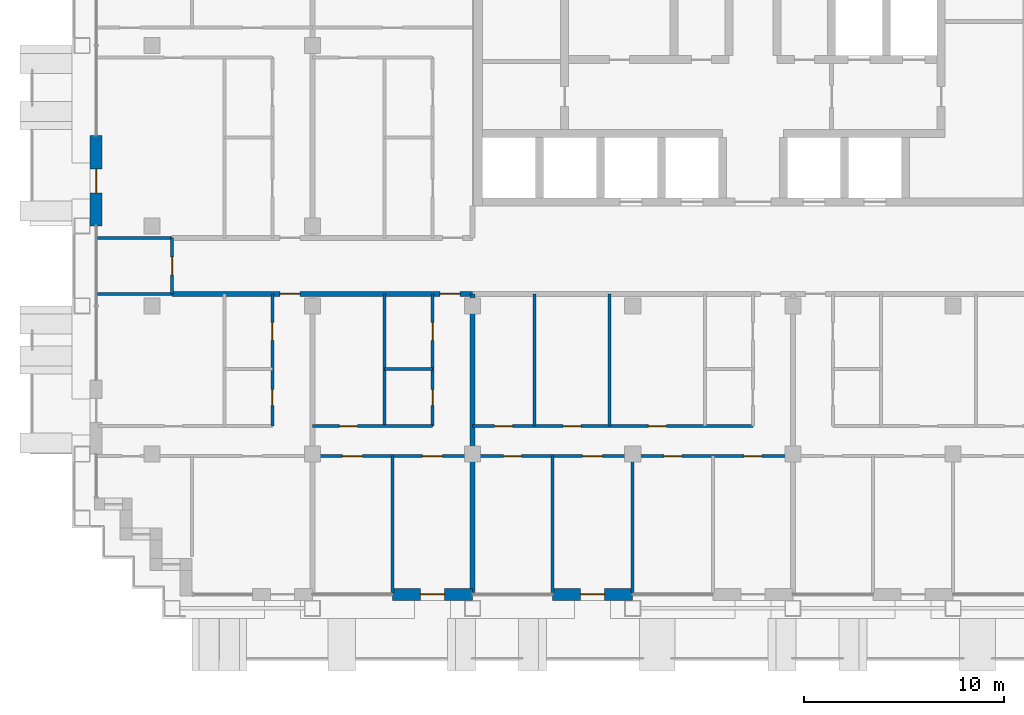
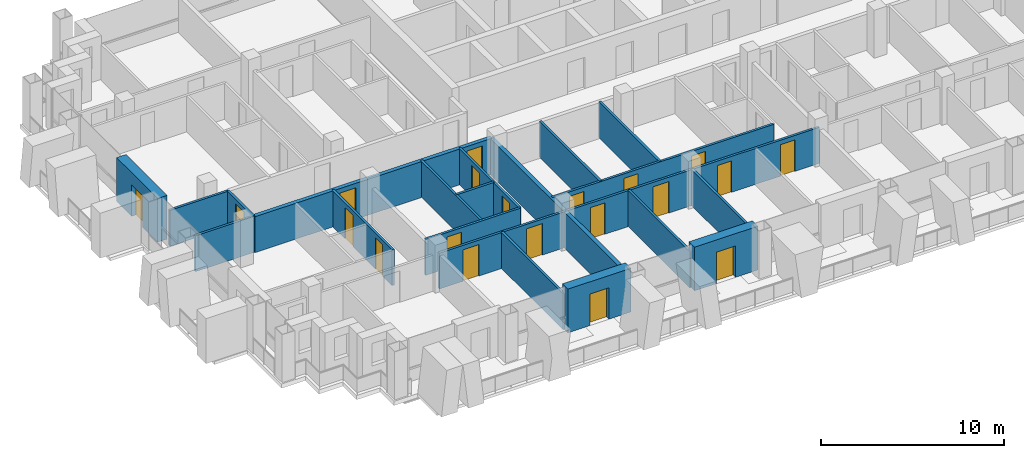
# One storey, part 8 of 17: 21 walls, 20 doors, 20 openings.
"""IFC4 building model written with IfcOpenShell, lengths in metres."""

from ifc_helpers import new_model, si_unit, direction, frame, frame_2d, origin, place, context, subcontext, project, spatial, rectangle, extrude, material, layer, layer_set, type_object, element, fill, save


model = new_model("IFC4")

# Units and contexts
model_context = context("Model", 3, precision=1e-05, world=origin(), true_north=direction((0.0, 1.0)))
body_context = subcontext(model_context, "Body", "Model", "MODEL_VIEW")
ifc_project = project(units=[si_unit("LENGTHUNIT", "METRE"), si_unit("AREAUNIT", "SQUARE_METRE"), si_unit("VOLUMEUNIT", "CUBIC_METRE"), si_unit("PLANEANGLEUNIT", "RADIAN"), si_unit("MASSUNIT", "GRAM", prefix="KILO")], contexts=[model_context])

# Site, building, storey
site_placement = place(None, origin())
site = spatial("IfcSite", under=ifc_project, at=site_placement, CompositionType="ELEMENT")
building_placement = place(site_placement, origin())
building = spatial("IfcBuilding", under=site, at=building_placement, Name="Vidyagriha Tower", CompositionType="ELEMENT")
storey_placement = place(building_placement, frame((0.0, 0.0, 119.800048828125)))
storey = spatial("IfcBuildingStorey", under=building, at=storey_placement, Name="L30", CompositionType="ELEMENT", Elevation=119.800048828125)

# Wall, opening, door
ifc_material_1 = material(Name="Precast concrete C40/50 with brick facing", Category="concrete")
ifc_layer_1 = layer(ifc_material_1, 0.60009765625)
ifc_layer_set_1 = layer_set([ifc_layer_1], Name="Precast concrete C40/50 with brick facing")
wall_type_1 = type_object("IfcWallType", Name="Brick-faced precast wall 600", PredefinedType="STANDARD", material=ifc_layer_set_1)
wall_1_placement = place(storey_placement, frame((-32.800048828125, 6.5, 0.0), z_axis=(0.0, 0.0, 1.0), x_axis=(0.0, -1.0, 0.0)))
wall_1 = element("IfcWall", 1, at=wall_1_placement, inside=storey, type_object=wall_type_1, Name="Brick door bay wall L30 R16.3", PredefinedType="STANDARD", context=body_context, shape_type="SweptSolid", body=[
    extrude(rectangle(XDim=4.5, YDim=0.60009765625, at=frame_2d((2.25, 0.0))), origin(), (0.0, 0.0, 1.0), 2.919921875),
])
opening_1_placement = place(wall_1_placement, frame((1.64990234375, 0.0, 0.0)))
opening_1 = element("IfcOpeningElement", 2, at=opening_1_placement, cuts=wall_1, Name="Opening D30-74", PredefinedType="OPENING", context=body_context, shape_type="SweptSolid", body=[
    extrude(rectangle(XDim=1.199951171875, YDim=2.10009765625, at=frame_2d((0.60009765625, 1.050048828125))), frame((0.0, 0.31005859375, 0.0), z_axis=(0.0, -1.0, 0.0), x_axis=(1.0, 0.0, 0.0)), (0.0, 0.0, 1.0), 0.6201171875),
])
ifc_material_2 = material(Name="Aluminium framed glazed sliding door", Category="aluminium")
door_type_1 = type_object("IfcDoorType", Name="Balcony sliding door 1200x2100", OperationType="NOTDEFINED", PredefinedType="DOOR", material=ifc_material_2)
door_1_placement = place(opening_1_placement, origin())
door_1 = element("IfcDoor", 3, at=door_1_placement, inside=storey, type_object=door_type_1, Name="Door D30-74", OperationType="SLIDING_TO_LEFT", OverallHeight=2.10009765625, OverallWidth=1.199951171875, PredefinedType="DOOR", context=body_context, shape_type="SweptSolid", body=[
    extrude(rectangle(XDim=1.199951171875, YDim=2.10009765625, at=frame_2d((0.60009765625, 1.050048828125))), frame((0.0, 0.02490234375, 0.0), z_axis=(0.0, -1.0, 0.0), x_axis=(1.0, 0.0, 0.0)), (0.0, 0.0, 1.0), 0.050048828125),
])
fill(opening_1, door_1)

wall_2_placement = place(storey_placement, frame((-18.0, -16.39990234375, 0.0)))
wall_2 = element("IfcWall", 4, at=wall_2_placement, inside=storey, type_object=wall_type_1, Name="Brick door bay wall L30 R23.4", PredefinedType="STANDARD", context=body_context, shape_type="SweptSolid", body=[
    extrude(rectangle(XDim=4.0, YDim=0.60009765625, at=frame_2d((2.0, 0.0))), origin(), (0.0, 0.0, 1.0), 2.919921875),
])
opening_2_placement = place(wall_2_placement, frame((1.39990234375, 0.0, 0.0)))
opening_2 = element("IfcOpeningElement", 5, at=opening_2_placement, cuts=wall_2, Name="Opening D30-77", PredefinedType="OPENING", context=body_context, shape_type="SweptSolid", body=[
    extrude(rectangle(XDim=1.199951171875, YDim=2.10009765625, at=frame_2d((0.60009765625, 1.050048828125))), frame((0.0, 0.31005859375, 0.0), z_axis=(0.0, -1.0, 0.0), x_axis=(1.0, 0.0, 0.0)), (0.0, 0.0, 1.0), 0.6201171875),
])
door_2_placement = place(opening_2_placement, origin())
door_2 = element("IfcDoor", 6, at=door_2_placement, inside=storey, type_object=door_type_1, Name="Door D30-77", OperationType="SLIDING_TO_LEFT", OverallHeight=2.10009765625, OverallWidth=1.199951171875, PredefinedType="DOOR", context=body_context, shape_type="SweptSolid", body=[
    extrude(rectangle(XDim=1.199951171875, YDim=2.10009765625, at=frame_2d((0.60009765625, 1.050048828125))), frame((0.0, 0.02490234375, 0.0), z_axis=(0.0, -1.0, 0.0), x_axis=(1.0, 0.0, 0.0)), (0.0, 0.0, 1.0), 0.050048828125),
])
fill(opening_2, door_2)

wall_3_placement = place(storey_placement, frame((-10.0, -16.39990234375, 0.0)))
wall_3 = element("IfcWall", 7, at=wall_3_placement, inside=storey, type_object=wall_type_1, Name="Brick door bay wall L30 R23.6", PredefinedType="STANDARD", context=body_context, shape_type="SweptSolid", body=[
    extrude(rectangle(XDim=4.0, YDim=0.60009765625, at=frame_2d((2.0, 0.0))), origin(), (0.0, 0.0, 1.0), 2.919921875),
])
opening_3_placement = place(wall_3_placement, frame((1.39990234375, 0.0, 0.0)))
opening_3 = element("IfcOpeningElement", 8, at=opening_3_placement, cuts=wall_3, Name="Opening D30-78", PredefinedType="OPENING", context=body_context, shape_type="SweptSolid", body=[
    extrude(rectangle(XDim=1.199951171875, YDim=2.10009765625, at=frame_2d((0.60009765625, 1.050048828125))), frame((0.0, 0.31005859375, 0.0), z_axis=(0.0, -1.0, 0.0), x_axis=(1.0, 0.0, 0.0)), (0.0, 0.0, 1.0), 0.6201171875),
])
door_3_placement = place(opening_3_placement, origin())
door_3 = element("IfcDoor", 9, at=door_3_placement, inside=storey, type_object=door_type_1, Name="Door D30-78", OperationType="SLIDING_TO_LEFT", OverallHeight=2.10009765625, OverallWidth=1.199951171875, PredefinedType="DOOR", context=body_context, shape_type="SweptSolid", body=[
    extrude(rectangle(XDim=1.199951171875, YDim=2.10009765625, at=frame_2d((0.60009765625, 1.050048828125))), frame((0.0, 0.02490234375, 0.0), z_axis=(0.0, -1.0, 0.0), x_axis=(1.0, 0.0, 0.0)), (0.0, 0.0, 1.0), 0.050048828125),
])
fill(opening_3, door_3)

# Wall, openings, doors
ifc_material_3 = material(Name="Fired clay brick masonry", Category="masonry")
ifc_layer_2 = layer(ifc_material_3, 0.25)
ifc_layer_set_2 = layer_set([ifc_layer_2], Name="Fired clay brick masonry")
wall_type_2 = type_object("IfcWallType", Name="Fired clay brick corridor wall 250", PredefinedType="PARTITIONING", material=ifc_layer_set_2)
wall_4_placement = place(storey_placement, frame((-14.0, -1.39990234375, 0.0), z_axis=(0.0, 0.0, 1.0), x_axis=(-1.0, 0.0, 0.0)))
wall_4 = element("IfcWall", 10, at=wall_4_placement, inside=storey, type_object=wall_type_2, Name="Wall all-L30-w085", PredefinedType="PARTITIONING", context=body_context, shape_type="SweptSolid", body=[
    extrude(rectangle(XDim=15.0, YDim=0.25, at=frame_2d((7.5, 0.0))), origin(), (0.0, 0.0, 1.0), 2.39990234375),
])
opening_4_placement = place(wall_4_placement, frame((8.617919921875, 0.0, 0.0)))
opening_4 = element("IfcOpeningElement", 11, at=opening_4_placement, cuts=wall_4, Name="Opening D30-18", PredefinedType="OPENING", context=body_context, shape_type="SweptSolid", body=[
    extrude(rectangle(XDim=1.0, YDim=2.10009765625, at=frame_2d((0.5, 1.050048828125))), frame((0.0, 0.135009765625, 0.0), z_axis=(0.0, -1.0, 0.0), x_axis=(1.0, 0.0, 0.0)), (0.0, 0.0, 1.0), 0.27001953125),
])
opening_5_placement = place(wall_4_placement, frame((0.617919921875, 0.0, 0.0)))
opening_5 = element("IfcOpeningElement", 12, at=opening_5_placement, cuts=wall_4, Name="Opening D30-24", PredefinedType="OPENING", context=body_context, shape_type="SweptSolid", body=[
    extrude(rectangle(XDim=1.0, YDim=2.10009765625, at=frame_2d((0.5, 1.050048828125))), frame((0.0, 0.135009765625, 0.0), z_axis=(0.0, -1.0, 0.0), x_axis=(1.0, 0.0, 0.0)), (0.0, 0.0, 1.0), 0.27001953125),
])
ifc_material_4 = material(Name="Fire-rated timber door leaf EI 60", Category="wood")
door_type_2 = type_object("IfcDoorType", Name="Flat entrance fire door 1000x2100", OperationType="NOTDEFINED", PredefinedType="DOOR", material=ifc_material_4)
door_4_placement = place(opening_4_placement, origin())
door_4 = element("IfcDoor", 13, at=door_4_placement, inside=storey, type_object=door_type_2, Name="Door D30-18", OperationType="SINGLE_SWING_LEFT", OverallHeight=2.10009765625, OverallWidth=1.0, PredefinedType="DOOR", context=body_context, shape_type="SweptSolid", body=[
    extrude(rectangle(XDim=1.0, YDim=2.10009765625, at=frame_2d((0.5, 1.050048828125))), frame((0.0, 0.02490234375, 0.0), z_axis=(0.0, -1.0, 0.0), x_axis=(1.0, 0.0, 0.0)), (0.0, 0.0, 1.0), 0.050048828125),
])
fill(opening_4, door_4)
door_5_placement = place(opening_5_placement, origin())
door_5 = element("IfcDoor", 14, at=door_5_placement, inside=storey, type_object=door_type_2, Name="Door D30-24", OperationType="SINGLE_SWING_LEFT", OverallHeight=2.10009765625, OverallWidth=1.0, PredefinedType="DOOR", context=body_context, shape_type="SweptSolid", body=[
    extrude(rectangle(XDim=1.0, YDim=2.10009765625, at=frame_2d((0.5, 1.050048828125))), frame((0.0, 0.02490234375, 0.0), z_axis=(0.0, -1.0, 0.0), x_axis=(1.0, 0.0, 0.0)), (0.0, 0.0, 1.0), 0.050048828125),
])
fill(opening_5, door_5)

# Walls
ifc_material_5 = material(Name="Fired clay brick masonry", Category="masonry")
ifc_layer_3 = layer(ifc_material_5, 0.25)
ifc_layer_set_3 = layer_set([ifc_layer_3], Name="Fired clay brick masonry")
wall_type_3 = type_object("IfcWallType", Name="Fired clay brick demising wall 250", PredefinedType="PARTITIONING", material=ifc_layer_set_3)
wall_5_placement = place(storey_placement, frame((-14.0, -1.39990234375, 0.0), z_axis=(0.0, 0.0, 1.0), x_axis=(0.0, -1.0, 0.0)))
element("IfcWall", 15, at=wall_5_placement, inside=storey, type_object=wall_type_3, Name="Wall all-L30-w046", PredefinedType="PARTITIONING", context=body_context, shape_type="SweptSolid", body=[
    extrude(rectangle(XDim=14.91015625, YDim=0.25, at=frame_2d((7.455078125, 0.0))), origin(), (0.0, 0.0, 1.0), 2.39990234375),
])
ifc_material_6 = material(Name="Gypsum board partition")
ifc_layer_4 = layer(ifc_material_6, 0.14990234375)
ifc_layer_set_4 = layer_set([ifc_layer_4], Name="Gypsum board partition")
wall_type_4 = type_object("IfcWallType", Name="Gypsum board partition 150", PredefinedType="PARTITIONING", material=ifc_layer_set_4)
wall_6_placement = place(storey_placement, frame((-16.0, -5.14990234375, 0.0), z_axis=(0.0, 0.0, 1.0), x_axis=(-1.0, 0.0, 0.0)))
element("IfcWall", 16, at=wall_6_placement, inside=storey, type_object=wall_type_4, Name="Wall all-L30-w016", PredefinedType="PARTITIONING", context=body_context, shape_type="SweptSolid", body=[
    extrude(rectangle(XDim=2.39990234375, YDim=0.14990234375, at=frame_2d((1.199951171875, 0.0))), origin(), (0.0, 0.0, 1.0), 2.39990234375),
])
wall_7_placement = place(storey_placement, frame((-18.39990234375, -8.0, 0.0), z_axis=(0.0, 0.0, 1.0), x_axis=(0.0, 1.0, 0.0)))
element("IfcWall", 17, at=wall_7_placement, inside=storey, type_object=wall_type_4, Name="Wall all-L30-w017", PredefinedType="PARTITIONING", context=body_context, shape_type="SweptSolid", body=[
    extrude(rectangle(XDim=6.60009765625, YDim=0.14990234375, at=frame_2d((3.300048828125, 0.0))), origin(), (0.0, 0.0, 1.0), 2.39990234375),
])

# Wall, opening, door
wall_8_placement = place(storey_placement, frame((-22.0, -8.0, 0.0)))
wall_8 = element("IfcWall", 18, at=wall_8_placement, inside=storey, type_object=wall_type_4, Name="Wall all-L30-w018", PredefinedType="PARTITIONING", context=body_context, shape_type="SweptSolid", body=[
    extrude(rectangle(XDim=6.0, YDim=0.14990234375, at=frame_2d((3.0, 0.0))), origin(), (0.0, 0.0, 1.0), 2.39990234375),
])
opening_6_placement = place(wall_8_placement, frame((1.35009765625, 0.0, 0.0)))
opening_6 = element("IfcOpeningElement", 19, at=opening_6_placement, cuts=wall_8, Name="Opening D30-21", PredefinedType="OPENING", context=body_context, shape_type="SweptSolid", body=[
    extrude(rectangle(XDim=0.89990234375, YDim=2.10009765625, at=frame_2d((0.449951171875, 1.050048828125))), frame((0.0, 0.0849609375, 0.0), z_axis=(0.0, -1.0, 0.0), x_axis=(1.0, 0.0, 0.0)), (0.0, 0.0, 1.0), 0.169921875),
])
ifc_material_7 = material(Name="Timber door leaf", Category="wood")
door_type_3 = type_object("IfcDoorType", Name="Room door 900x2100", OperationType="NOTDEFINED", PredefinedType="DOOR", material=ifc_material_7)
door_6_placement = place(opening_6_placement, origin())
door_6 = element("IfcDoor", 20, at=door_6_placement, inside=storey, type_object=door_type_3, Name="Door D30-21", OperationType="SINGLE_SWING_RIGHT", OverallHeight=2.10009765625, OverallWidth=0.89990234375, PredefinedType="DOOR", context=body_context, shape_type="SweptSolid", body=[
    extrude(rectangle(XDim=0.89990234375, YDim=2.10009765625, at=frame_2d((0.449951171875, 1.050048828125))), frame((0.0, 0.02490234375, 0.0), z_axis=(0.0, -1.0, 0.0), x_axis=(1.0, 0.0, 0.0)), (0.0, 0.0, 1.0), 0.050048828125),
])
fill(opening_6, door_6)

# Wall, openings, doors
wall_9_placement = place(storey_placement, frame((-14.0, -9.5, 0.0), z_axis=(0.0, 0.0, 1.0), x_axis=(-1.0, 0.0, 0.0)))
wall_9 = element("IfcWall", 21, at=wall_9_placement, inside=storey, type_object=wall_type_4, Name="Wall all-L30-w020", PredefinedType="PARTITIONING", context=body_context, shape_type="SweptSolid", body=[
    extrude(rectangle(XDim=8.0, YDim=0.14990234375, at=frame_2d((4.0, 0.0))), origin(), (0.0, 0.0, 1.0), 2.39990234375),
])
opening_7_placement = place(wall_9_placement, frame((5.5, 0.0, 0.0)))
opening_7 = element("IfcOpeningElement", 22, at=opening_7_placement, cuts=wall_9, Name="Opening D30-22", PredefinedType="OPENING", context=body_context, shape_type="SweptSolid", body=[
    extrude(rectangle(XDim=1.0, YDim=2.10009765625, at=frame_2d((0.5, 1.050048828125))), frame((0.0, 0.0849609375, 0.0), z_axis=(0.0, -1.0, 0.0), x_axis=(1.0, 0.0, 0.0)), (0.0, 0.0, 1.0), 0.169921875),
])
opening_8_placement = place(wall_9_placement, frame((1.5, 0.0, 0.0)))
opening_8 = element("IfcOpeningElement", 23, at=opening_8_placement, cuts=wall_9, Name="Opening D30-23", PredefinedType="OPENING", context=body_context, shape_type="SweptSolid", body=[
    extrude(rectangle(XDim=1.0, YDim=2.10009765625, at=frame_2d((0.5, 1.050048828125))), frame((0.0, 0.0849609375, 0.0), z_axis=(0.0, -1.0, 0.0), x_axis=(1.0, 0.0, 0.0)), (0.0, 0.0, 1.0), 0.169921875),
])
ifc_material_8 = material(Name="Timber door leaf", Category="wood")
door_type_4 = type_object("IfcDoorType", Name="Room door 1000x2100", OperationType="NOTDEFINED", PredefinedType="DOOR", material=ifc_material_8)
door_7_placement = place(opening_7_placement, origin())
door_7 = element("IfcDoor", 24, at=door_7_placement, inside=storey, type_object=door_type_4, Name="Door D30-22", OperationType="SINGLE_SWING_RIGHT", OverallHeight=2.10009765625, OverallWidth=1.0, PredefinedType="DOOR", context=body_context, shape_type="SweptSolid", body=[
    extrude(rectangle(XDim=1.0, YDim=2.10009765625, at=frame_2d((0.5, 1.050048828125))), frame((0.0, 0.02490234375, 0.0), z_axis=(0.0, -1.0, 0.0), x_axis=(1.0, 0.0, 0.0)), (0.0, 0.0, 1.0), 0.050048828125),
])
fill(opening_7, door_7)
door_8_placement = place(opening_8_placement, origin())
door_8 = element("IfcDoor", 25, at=door_8_placement, inside=storey, type_object=door_type_4, Name="Door D30-23", OperationType="SINGLE_SWING_RIGHT", OverallHeight=2.10009765625, OverallWidth=1.0, PredefinedType="DOOR", context=body_context, shape_type="SweptSolid", body=[
    extrude(rectangle(XDim=1.0, YDim=2.10009765625, at=frame_2d((0.5, 1.050048828125))), frame((0.0, 0.02490234375, 0.0), z_axis=(0.0, -1.0, 0.0), x_axis=(1.0, 0.0, 0.0)), (0.0, 0.0, 1.0), 0.050048828125),
])
fill(opening_8, door_8)

# Walls
wall_10_placement = place(storey_placement, frame((-18.0, -9.5, 0.0), z_axis=(0.0, 0.0, 1.0), x_axis=(0.0, -1.0, 0.0)))
element("IfcWall", 26, at=wall_10_placement, inside=storey, type_object=wall_type_4, Name="Wall all-L30-w023", PredefinedType="PARTITIONING", context=body_context, shape_type="SweptSolid", body=[
    extrude(rectangle(XDim=6.821044921875, YDim=0.14990234375, at=frame_2d((3.41064453125, 0.0))), origin(), (0.0, 0.0, 1.0), 2.39990234375),
])
for number, where, z_axis, x_axis, name in (
    (27, (-7.14990234375, -8.0, 0.0), (0.0, 0.0, 1.0), (0.0, 1.0, 0.0), "Wall all-L30-w031"),
    (28, (-10.89990234375, -8.0, 0.0), (0.0, 0.0, 1.0), (0.0, 1.0, 0.0), "Wall all-L30-w032"),
):
    element("IfcWall", number, at=place(storey_placement, frame(where, z_axis=z_axis, x_axis=x_axis)), inside=storey, type_object=wall_type_4, Name=name, PredefinedType="PARTITIONING", context=body_context, shape_type="SweptSolid", body=[
        extrude(rectangle(XDim=6.60009765625, YDim=0.14990234375, at=frame_2d((3.300048828125, 0.0))), origin(), (0.0, 0.0, 1.0), 2.39990234375),
    ])

# Wall, openings, doors
wall_11_placement = place(storey_placement, frame((-14.0, -8.0, 0.0)))
wall_11 = element("IfcWall", 29, at=wall_11_placement, inside=storey, type_object=wall_type_4, Name="Wall all-L30-w033", PredefinedType="PARTITIONING", context=body_context, shape_type="SweptSolid", body=[
    extrude(rectangle(XDim=14.0, YDim=0.14990234375, at=frame_2d((7.0, 0.0))), origin(), (0.0, 0.0, 1.0), 2.39990234375),
])
opening_9_placement = place(wall_11_placement, frame((8.77490234375, 0.0, 0.0)))
opening_9 = element("IfcOpeningElement", 30, at=opening_9_placement, cuts=wall_11, Name="Opening D30-27", PredefinedType="OPENING", context=body_context, shape_type="SweptSolid", body=[
    extrude(rectangle(XDim=0.89990234375, YDim=2.10009765625, at=frame_2d((0.449951171875, 1.050048828125))), frame((0.0, 0.0849609375, 0.0), z_axis=(0.0, -1.0, 0.0), x_axis=(1.0, 0.0, 0.0)), (0.0, 0.0, 1.0), 0.169921875),
])
opening_10_placement = place(wall_11_placement, frame((4.52490234375, 0.0, 0.0)))
opening_10 = element("IfcOpeningElement", 31, at=opening_10_placement, cuts=wall_11, Name="Opening D30-28", PredefinedType="OPENING", context=body_context, shape_type="SweptSolid", body=[
    extrude(rectangle(XDim=0.89990234375, YDim=2.10009765625, at=frame_2d((0.449951171875, 1.050048828125))), frame((0.0, 0.0849609375, 0.0), z_axis=(0.0, -1.0, 0.0), x_axis=(1.0, 0.0, 0.0)), (0.0, 0.0, 1.0), 0.169921875),
])
opening_11_placement = place(wall_11_placement, frame((1.10009765625, 0.0, 0.0)))
opening_11 = element("IfcOpeningElement", 32, at=opening_11_placement, cuts=wall_11, Name="Opening D30-29", PredefinedType="OPENING", context=body_context, shape_type="SweptSolid", body=[
    extrude(rectangle(XDim=0.89990234375, YDim=2.10009765625, at=frame_2d((0.449951171875, 1.050048828125))), frame((0.0, 0.0849609375, 0.0), z_axis=(0.0, -1.0, 0.0), x_axis=(1.0, 0.0, 0.0)), (0.0, 0.0, 1.0), 0.169921875),
])
door_9_placement = place(opening_9_placement, origin())
door_9 = element("IfcDoor", 33, at=door_9_placement, inside=storey, type_object=door_type_3, Name="Door D30-27", OperationType="SINGLE_SWING_LEFT", OverallHeight=2.10009765625, OverallWidth=0.89990234375, PredefinedType="DOOR", context=body_context, shape_type="SweptSolid", body=[
    extrude(rectangle(XDim=0.89990234375, YDim=2.10009765625, at=frame_2d((0.449951171875, 1.050048828125))), frame((0.0, 0.02490234375, 0.0), z_axis=(0.0, -1.0, 0.0), x_axis=(1.0, 0.0, 0.0)), (0.0, 0.0, 1.0), 0.050048828125),
])
fill(opening_9, door_9)
door_10_placement = place(opening_10_placement, origin())
door_10 = element("IfcDoor", 34, at=door_10_placement, inside=storey, type_object=door_type_3, Name="Door D30-28", OperationType="SINGLE_SWING_RIGHT", OverallHeight=2.10009765625, OverallWidth=0.89990234375, PredefinedType="DOOR", context=body_context, shape_type="SweptSolid", body=[
    extrude(rectangle(XDim=0.89990234375, YDim=2.10009765625, at=frame_2d((0.449951171875, 1.050048828125))), frame((0.0, 0.02490234375, 0.0), z_axis=(0.0, -1.0, 0.0), x_axis=(1.0, 0.0, 0.0)), (0.0, 0.0, 1.0), 0.050048828125),
])
fill(opening_10, door_10)
door_11_placement = place(opening_11_placement, origin())
door_11 = element("IfcDoor", 35, at=door_11_placement, inside=storey, type_object=door_type_3, Name="Door D30-29", OperationType="SINGLE_SWING_RIGHT", OverallHeight=2.10009765625, OverallWidth=0.89990234375, PredefinedType="DOOR", context=body_context, shape_type="SweptSolid", body=[
    extrude(rectangle(XDim=0.89990234375, YDim=2.10009765625, at=frame_2d((0.449951171875, 1.050048828125))), frame((0.0, 0.02490234375, 0.0), z_axis=(0.0, -1.0, 0.0), x_axis=(1.0, 0.0, 0.0)), (0.0, 0.0, 1.0), 0.050048828125),
])
fill(opening_11, door_11)

wall_12_placement = place(storey_placement, frame((2.0, -9.5, 0.0), z_axis=(0.0, 0.0, 1.0), x_axis=(-1.0, 0.0, 0.0)))
wall_12 = element("IfcWall", 36, at=wall_12_placement, inside=storey, type_object=wall_type_4, Name="Wall all-L30-w037", PredefinedType="PARTITIONING", context=body_context, shape_type="SweptSolid", body=[
    extrude(rectangle(XDim=16.0, YDim=0.14990234375, at=frame_2d((8.0, 0.0))), origin(), (0.0, 0.0, 1.0), 2.39990234375),
])
opening_12_placement = place(wall_12_placement, frame((13.550048828125, 0.0, 0.0)))
opening_12 = element("IfcOpeningElement", 37, at=opening_12_placement, cuts=wall_12, Name="Opening D30-30", PredefinedType="OPENING", context=body_context, shape_type="SweptSolid", body=[
    extrude(rectangle(XDim=0.89990234375, YDim=2.10009765625, at=frame_2d((0.449951171875, 1.050048828125))), frame((0.0, 0.0849609375, 0.0), z_axis=(0.0, -1.0, 0.0), x_axis=(1.0, 0.0, 0.0)), (0.0, 0.0, 1.0), 0.169921875),
])
opening_13_placement = place(wall_12_placement, frame((9.5, 0.0, 0.0)))
opening_13 = element("IfcOpeningElement", 38, at=opening_13_placement, cuts=wall_12, Name="Opening D30-31", PredefinedType="OPENING", context=body_context, shape_type="SweptSolid", body=[
    extrude(rectangle(XDim=1.0, YDim=2.10009765625, at=frame_2d((0.5, 1.050048828125))), frame((0.0, 0.0849609375, 0.0), z_axis=(0.0, -1.0, 0.0), x_axis=(1.0, 0.0, 0.0)), (0.0, 0.0, 1.0), 0.169921875),
])
opening_14_placement = place(wall_12_placement, frame((5.550048828125, 0.0, 0.0)))
opening_14 = element("IfcOpeningElement", 39, at=opening_14_placement, cuts=wall_12, Name="Opening D30-32", PredefinedType="OPENING", context=body_context, shape_type="SweptSolid", body=[
    extrude(rectangle(XDim=0.89990234375, YDim=2.10009765625, at=frame_2d((0.449951171875, 1.050048828125))), frame((0.0, 0.0849609375, 0.0), z_axis=(0.0, -1.0, 0.0), x_axis=(1.0, 0.0, 0.0)), (0.0, 0.0, 1.0), 0.169921875),
])
opening_15_placement = place(wall_12_placement, frame((1.550048828125, 0.0, 0.0)))
opening_15 = element("IfcOpeningElement", 40, at=opening_15_placement, cuts=wall_12, Name="Opening D30-33", PredefinedType="OPENING", context=body_context, shape_type="SweptSolid", body=[
    extrude(rectangle(XDim=0.89990234375, YDim=2.10009765625, at=frame_2d((0.449951171875, 1.050048828125))), frame((0.0, 0.0849609375, 0.0), z_axis=(0.0, -1.0, 0.0), x_axis=(1.0, 0.0, 0.0)), (0.0, 0.0, 1.0), 0.169921875),
])
door_12_placement = place(opening_13_placement, origin())
door_12 = element("IfcDoor", 41, at=door_12_placement, inside=storey, type_object=door_type_4, Name="Door D30-31", OperationType="SINGLE_SWING_RIGHT", OverallHeight=2.10009765625, OverallWidth=1.0, PredefinedType="DOOR", context=body_context, shape_type="SweptSolid", body=[
    extrude(rectangle(XDim=1.0, YDim=2.10009765625, at=frame_2d((0.5, 1.050048828125))), frame((0.0, 0.02490234375, 0.0), z_axis=(0.0, -1.0, 0.0), x_axis=(1.0, 0.0, 0.0)), (0.0, 0.0, 1.0), 0.050048828125),
])
fill(opening_13, door_12)
door_13_placement = place(opening_12_placement, origin())
door_13 = element("IfcDoor", 42, at=door_13_placement, inside=storey, type_object=door_type_3, Name="Door D30-30", OperationType="SINGLE_SWING_RIGHT", OverallHeight=2.10009765625, OverallWidth=0.89990234375, PredefinedType="DOOR", context=body_context, shape_type="SweptSolid", body=[
    extrude(rectangle(XDim=0.89990234375, YDim=2.10009765625, at=frame_2d((0.449951171875, 1.050048828125))), frame((0.0, 0.02490234375, 0.0), z_axis=(0.0, -1.0, 0.0), x_axis=(1.0, 0.0, 0.0)), (0.0, 0.0, 1.0), 0.050048828125),
])
fill(opening_12, door_13)
door_14_placement = place(opening_14_placement, origin())
door_14 = element("IfcDoor", 43, at=door_14_placement, inside=storey, type_object=door_type_3, Name="Door D30-32", OperationType="SINGLE_SWING_RIGHT", OverallHeight=2.10009765625, OverallWidth=0.89990234375, PredefinedType="DOOR", context=body_context, shape_type="SweptSolid", body=[
    extrude(rectangle(XDim=0.89990234375, YDim=2.10009765625, at=frame_2d((0.449951171875, 1.050048828125))), frame((0.0, 0.02490234375, 0.0), z_axis=(0.0, -1.0, 0.0), x_axis=(1.0, 0.0, 0.0)), (0.0, 0.0, 1.0), 0.050048828125),
])
fill(opening_14, door_14)
door_15_placement = place(opening_15_placement, origin())
door_15 = element("IfcDoor", 44, at=door_15_placement, inside=storey, type_object=door_type_3, Name="Door D30-33", OperationType="SINGLE_SWING_RIGHT", OverallHeight=2.10009765625, OverallWidth=0.89990234375, PredefinedType="DOOR", context=body_context, shape_type="SweptSolid", body=[
    extrude(rectangle(XDim=0.89990234375, YDim=2.10009765625, at=frame_2d((0.449951171875, 1.050048828125))), frame((0.0, 0.02490234375, 0.0), z_axis=(0.0, -1.0, 0.0), x_axis=(1.0, 0.0, 0.0)), (0.0, 0.0, 1.0), 0.050048828125),
])
fill(opening_15, door_15)

# Walls
wall_13_placement = place(storey_placement, frame((-10.0, -9.5, 0.0), z_axis=(0.0, 0.0, 1.0), x_axis=(0.0, -1.0, 0.0)))
element("IfcWall", 45, at=wall_13_placement, inside=storey, type_object=wall_type_4, Name="Wall all-L30-w042", PredefinedType="PARTITIONING", context=body_context, shape_type="SweptSolid", body=[
    extrude(rectangle(XDim=6.821044921875, YDim=0.14990234375, at=frame_2d((3.41064453125, 0.0))), origin(), (0.0, 0.0, 1.0), 2.39990234375),
])
wall_14_placement = place(storey_placement, frame((-6.0, -9.5, 0.0), z_axis=(0.0, 0.0, 1.0), x_axis=(0.0, -1.0, 0.0)))
element("IfcWall", 46, at=wall_14_placement, inside=storey, type_object=wall_type_4, Name="Wall all-L30-w043", PredefinedType="PARTITIONING", context=body_context, shape_type="SweptSolid", body=[
    extrude(rectangle(XDim=6.81005859375, YDim=0.14990234375, at=frame_2d((3.405029296875, 0.0))), origin(), (0.0, 0.0, 1.0), 2.39990234375),
])
wall_15_placement = place(storey_placement, frame((-29.0, -1.39990234375, 0.0), z_axis=(0.0, 0.0, 1.0), x_axis=(-1.0, 0.0, 0.0)))
element("IfcWall", 47, at=wall_15_placement, inside=storey, type_object=wall_type_4, Name="Wall all-L30-w086", PredefinedType="PARTITIONING", context=body_context, shape_type="SweptSolid", body=[
    extrude(rectangle(XDim=3.719970703125, YDim=0.14990234375, at=frame_2d((1.85986328125, 0.0))), origin(), (0.0, 0.0, 1.0), 2.39990234375),
])
wall_16_placement = place(storey_placement, frame((-32.719970703125, 1.39990234375, 0.0)))
element("IfcWall", 48, at=wall_16_placement, inside=storey, type_object=wall_type_4, Name="Wall all-L30-w113", PredefinedType="PARTITIONING", context=body_context, shape_type="SweptSolid", body=[
    extrude(rectangle(XDim=3.719970703125, YDim=0.14990234375, at=frame_2d((1.85986328125, 0.0))), origin(), (0.0, 0.0, 1.0), 2.39990234375),
])

# Wall, opening, door
wall_17_placement = place(storey_placement, frame((-29.0, 1.39990234375, 0.0), z_axis=(0.0, 0.0, 1.0), x_axis=(0.0, -1.0, 0.0)))
wall_17 = element("IfcWall", 49, at=wall_17_placement, inside=storey, type_object=wall_type_4, Name="Wall all-L30-w132", PredefinedType="PARTITIONING", context=body_context, shape_type="SweptSolid", body=[
    extrude(rectangle(XDim=2.7998046875, YDim=0.14990234375, at=frame_2d((1.39990234375, 0.0))), origin(), (0.0, 0.0, 1.0), 2.39990234375),
])
opening_16_placement = place(wall_17_placement, frame((0.949951171875, 0.0, 0.0)))
opening_16 = element("IfcOpeningElement", 50, at=opening_16_placement, cuts=wall_17, Name="Opening D30-72", PredefinedType="OPENING", context=body_context, shape_type="SweptSolid", body=[
    extrude(rectangle(XDim=0.89990234375, YDim=2.10009765625, at=frame_2d((0.449951171875, 1.050048828125))), frame((0.0, 0.0849609375, 0.0), z_axis=(0.0, -1.0, 0.0), x_axis=(1.0, 0.0, 0.0)), (0.0, 0.0, 1.0), 0.169921875),
])
door_16_placement = place(opening_16_placement, origin())
door_16 = element("IfcDoor", 51, at=door_16_placement, inside=storey, type_object=door_type_3, Name="Door D30-72", OperationType="SINGLE_SWING_RIGHT", OverallHeight=2.10009765625, OverallWidth=0.89990234375, PredefinedType="DOOR", context=body_context, shape_type="SweptSolid", body=[
    extrude(rectangle(XDim=0.89990234375, YDim=2.10009765625, at=frame_2d((0.449951171875, 1.050048828125))), frame((0.0, 0.02490234375, 0.0), z_axis=(0.0, -1.0, 0.0), x_axis=(1.0, 0.0, 0.0)), (0.0, 0.0, 1.0), 0.050048828125),
])
fill(opening_16, door_16)

# Wall, openings, doors
ifc_material_9 = material(Name="Moisture resistant gypsum board partition")
ifc_layer_5 = layer(ifc_material_9, 0.14990234375)
ifc_layer_set_5 = layer_set([ifc_layer_5], Name="Moisture resistant gypsum board partition")
wall_type_5 = type_object("IfcWallType", Name="Gypsum board wet-area partition 150", PredefinedType="PARTITIONING", material=ifc_layer_set_5)
wall_18_placement = place(storey_placement, frame((-24.0, -8.0, 0.0), z_axis=(0.0, 0.0, 1.0), x_axis=(0.0, 1.0, 0.0)))
wall_18 = element("IfcWall", 52, at=wall_18_placement, inside=storey, type_object=wall_type_5, Name="Wall all-L30-w001", PredefinedType="PARTITIONING", context=body_context, shape_type="SweptSolid", body=[
    extrude(rectangle(XDim=6.60009765625, YDim=0.14990234375, at=frame_2d((3.300048828125, 0.0))), origin(), (0.0, 0.0, 1.0), 2.39990234375),
])
opening_17_placement = place(wall_18_placement, frame((4.27490234375, 0.0, 0.0)))
opening_17 = element("IfcOpeningElement", 53, at=opening_17_placement, cuts=wall_18, Name="Opening D30-13", PredefinedType="OPENING", context=body_context, shape_type="SweptSolid", body=[
    extrude(rectangle(XDim=0.89990234375, YDim=2.10009765625, at=frame_2d((0.449951171875, 1.050048828125))), frame((0.0, 0.0849609375, 0.0), z_axis=(0.0, -1.0, 0.0), x_axis=(1.0, 0.0, 0.0)), (0.0, 0.0, 1.0), 0.169921875),
])
opening_18_placement = place(wall_18_placement, frame((1.02490234375, 0.0, 0.0)))
opening_18 = element("IfcOpeningElement", 54, at=opening_18_placement, cuts=wall_18, Name="Opening D30-14", PredefinedType="OPENING", context=body_context, shape_type="SweptSolid", body=[
    extrude(rectangle(XDim=0.800048828125, YDim=2.10009765625, at=frame_2d((0.39990234375, 1.050048828125))), frame((0.0, 0.0849609375, 0.0), z_axis=(0.0, -1.0, 0.0), x_axis=(1.0, 0.0, 0.0)), (0.0, 0.0, 1.0), 0.169921875),
])
ifc_material_10 = material(Name="Timber door leaf", Category="wood")
door_type_5 = type_object("IfcDoorType", Name="Bathroom door 800x2100", OperationType="NOTDEFINED", PredefinedType="DOOR", material=ifc_material_10)
door_17_placement = place(opening_18_placement, origin())
door_17 = element("IfcDoor", 55, at=door_17_placement, inside=storey, type_object=door_type_5, Name="Door D30-14", OperationType="SINGLE_SWING_RIGHT", OverallHeight=2.10009765625, OverallWidth=0.800048828125, PredefinedType="DOOR", context=body_context, shape_type="SweptSolid", body=[
    extrude(rectangle(XDim=0.800048828125, YDim=2.10009765625, at=frame_2d((0.39990234375, 1.050048828125))), frame((0.0, 0.02490234375, 0.0), z_axis=(0.0, -1.0, 0.0), x_axis=(1.0, 0.0, 0.0)), (0.0, 0.0, 1.0), 0.050048828125),
])
fill(opening_18, door_17)
ifc_material_11 = material(Name="Timber door leaf", Category="wood")
door_type_6 = type_object("IfcDoorType", Name="Kitchen door 900x2100", OperationType="NOTDEFINED", PredefinedType="DOOR", material=ifc_material_11)
door_18_placement = place(opening_17_placement, origin())
door_18 = element("IfcDoor", 56, at=door_18_placement, inside=storey, type_object=door_type_6, Name="Door D30-13", OperationType="SINGLE_SWING_LEFT", OverallHeight=2.10009765625, OverallWidth=0.89990234375, PredefinedType="DOOR", context=body_context, shape_type="SweptSolid", body=[
    extrude(rectangle(XDim=0.89990234375, YDim=2.10009765625, at=frame_2d((0.449951171875, 1.050048828125))), frame((0.0, 0.02490234375, 0.0), z_axis=(0.0, -1.0, 0.0), x_axis=(1.0, 0.0, 0.0)), (0.0, 0.0, 1.0), 0.050048828125),
])
fill(opening_17, door_18)

wall_19_placement = place(storey_placement, frame((-16.0, -8.0, 0.0), z_axis=(0.0, 0.0, 1.0), x_axis=(0.0, 1.0, 0.0)))
wall_19 = element("IfcWall", 57, at=wall_19_placement, inside=storey, type_object=wall_type_5, Name="Wall all-L30-w013", PredefinedType="PARTITIONING", context=body_context, shape_type="SweptSolid", body=[
    extrude(rectangle(XDim=6.60009765625, YDim=0.14990234375, at=frame_2d((3.300048828125, 0.0))), origin(), (0.0, 0.0, 1.0), 2.39990234375),
])
opening_19_placement = place(wall_19_placement, frame((4.27490234375, 0.0, 0.0)))
opening_19 = element("IfcOpeningElement", 58, at=opening_19_placement, cuts=wall_19, Name="Opening D30-19", PredefinedType="OPENING", context=body_context, shape_type="SweptSolid", body=[
    extrude(rectangle(XDim=0.89990234375, YDim=2.10009765625, at=frame_2d((0.449951171875, 1.050048828125))), frame((0.0, 0.0849609375, 0.0), z_axis=(0.0, -1.0, 0.0), x_axis=(1.0, 0.0, 0.0)), (0.0, 0.0, 1.0), 0.169921875),
])
opening_20_placement = place(wall_19_placement, frame((1.02490234375, 0.0, 0.0)))
opening_20 = element("IfcOpeningElement", 59, at=opening_20_placement, cuts=wall_19, Name="Opening D30-20", PredefinedType="OPENING", context=body_context, shape_type="SweptSolid", body=[
    extrude(rectangle(XDim=0.800048828125, YDim=2.10009765625, at=frame_2d((0.39990234375, 1.050048828125))), frame((0.0, 0.0849609375, 0.0), z_axis=(0.0, -1.0, 0.0), x_axis=(1.0, 0.0, 0.0)), (0.0, 0.0, 1.0), 0.169921875),
])
door_19_placement = place(opening_20_placement, origin())
door_19 = element("IfcDoor", 60, at=door_19_placement, inside=storey, type_object=door_type_5, Name="Door D30-20", OperationType="SINGLE_SWING_RIGHT", OverallHeight=2.10009765625, OverallWidth=0.800048828125, PredefinedType="DOOR", context=body_context, shape_type="SweptSolid", body=[
    extrude(rectangle(XDim=0.800048828125, YDim=2.10009765625, at=frame_2d((0.39990234375, 1.050048828125))), frame((0.0, 0.02490234375, 0.0), z_axis=(0.0, -1.0, 0.0), x_axis=(1.0, 0.0, 0.0)), (0.0, 0.0, 1.0), 0.050048828125),
])
fill(opening_20, door_19)
door_20_placement = place(opening_19_placement, origin())
door_20 = element("IfcDoor", 61, at=door_20_placement, inside=storey, type_object=door_type_6, Name="Door D30-19", OperationType="SINGLE_SWING_LEFT", OverallHeight=2.10009765625, OverallWidth=0.89990234375, PredefinedType="DOOR", context=body_context, shape_type="SweptSolid", body=[
    extrude(rectangle(XDim=0.89990234375, YDim=2.10009765625, at=frame_2d((0.449951171875, 1.050048828125))), frame((0.0, 0.02490234375, 0.0), z_axis=(0.0, -1.0, 0.0), x_axis=(1.0, 0.0, 0.0)), (0.0, 0.0, 1.0), 0.050048828125),
])
fill(opening_19, door_20)

save(model, "model.ifc")
